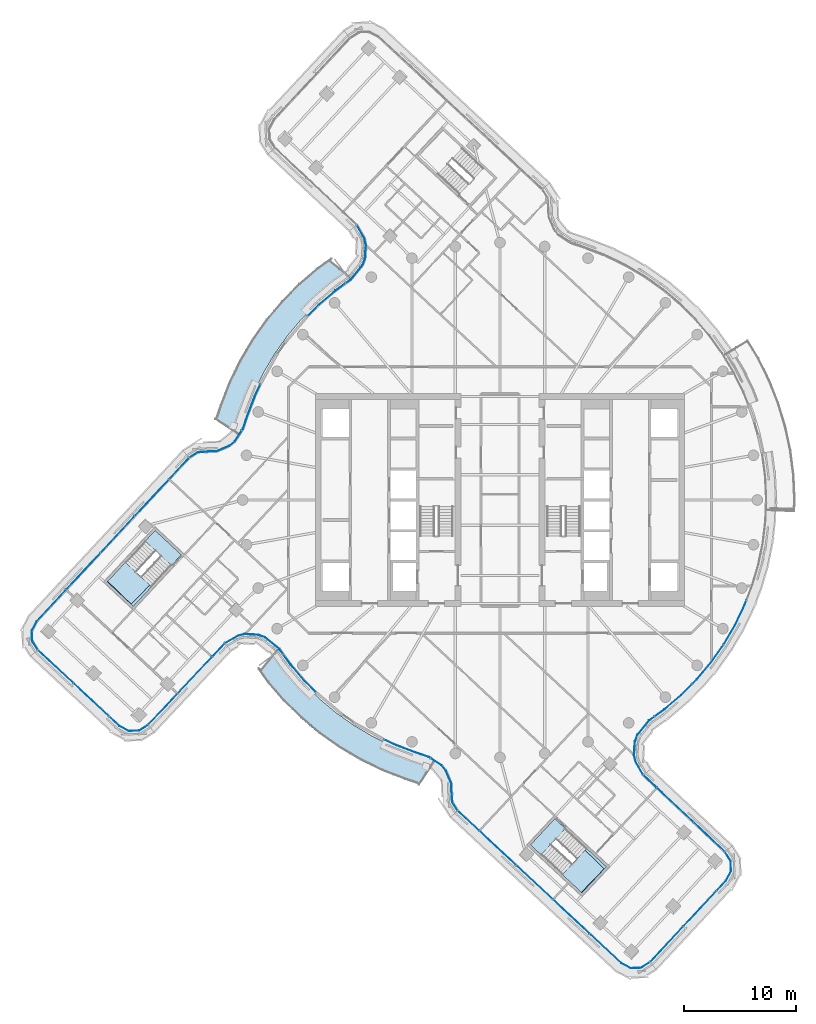
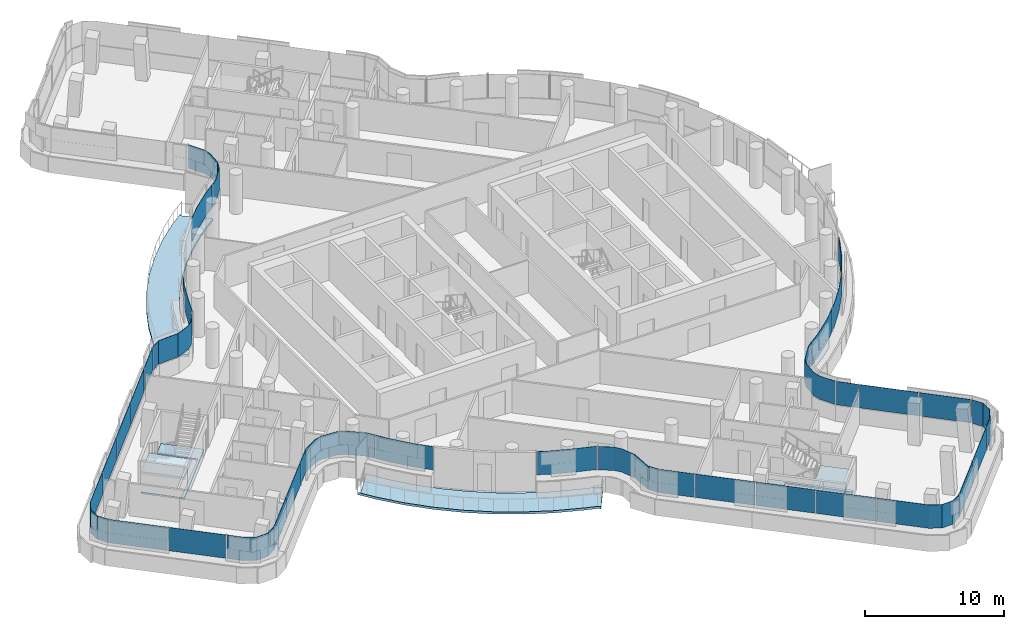
# One storey, part 15 of 30: 34 plates, 6 slabs, 11 elements without a shape of their own.
"""IFC4 building model written with IfcOpenShell, lengths in metres."""

from ifc_helpers import new_model, si_unit, direction, frame, origin, place, context, subcontext, project, spatial, polyline, outline, extrude, material, layer, layer_set, type_object, element, aggregate, save


model = new_model("IFC4")

# Units and contexts
model_context = context("Model", 3, precision=1e-05, world=origin(), true_north=direction((0.0, 1.0)))
body_context = subcontext(model_context, "Body", "Model", "MODEL_VIEW")
ifc_project = project(units=[si_unit("LENGTHUNIT", "METRE"), si_unit("AREAUNIT", "SQUARE_METRE"), si_unit("VOLUMEUNIT", "CUBIC_METRE"), si_unit("PLANEANGLEUNIT", "RADIAN"), si_unit("MASSUNIT", "GRAM", prefix="KILO")], contexts=[model_context])

# Site, building, storey
site_placement = place(None, origin())
site = spatial("IfcSite", under=ifc_project, at=site_placement, CompositionType="ELEMENT")
building_placement = place(site_placement, origin())
building = spatial("IfcBuilding", under=site, at=building_placement, Name="Tamarind Cross Interchange Tower", CompositionType="ELEMENT")
storey_placement = place(building_placement, frame((0.0, 0.0, 204.10009765625)))
storey = spatial("IfcBuildingStorey", under=building, at=storey_placement, Name="L51", CompositionType="ELEMENT", Elevation=204.10009765625)

# Slabs
ifc_material_1 = material(Name="Precast concrete C40", Category="concrete")
ifc_layer_1 = layer(ifc_material_1, 0.199951171875)
ifc_layer_set_1 = layer_set([ifc_layer_1], Name="Precast concrete C40")
slab_type_1 = type_object("IfcSlabType", Name="Balcony slab", PredefinedType="BASESLAB", material=ifc_layer_set_1)
slab_1_placement = place(storey_placement, frame((0.0, 0.0, -0.2001953125)))
element("IfcSlab", 1, at=slab_1_placement, inside=storey, type_object=slab_type_1, Name="SLB-L51-BAL02", PredefinedType="BASESLAB", context=body_context, shape_type="SweptSolid", body=[
    extrude(outline(polyline([(-19.89599609375, -13.42431640625), (-19.856689453125, -13.45654296875), (-18.87255859375, -14.820068359375), (-17.584228515625, -16.327880859375), (-16.17578125, -17.72412109375), (-14.656982421875, -18.99951171875), (-13.0380859375, -20.14501953125), (-11.329833984375, -21.15283203125), (-9.54443359375, -22.01611328125), (-7.69384765625, -22.72900390625), (-6.44677734375, -23.145263671875), (-5.956787109375, -23.46923828125), (-7.28076171875, -25.470947265625), (-7.506591796875, -25.321533203125), (-8.50537109375, -24.98828125), (-10.499755859375, -24.219970703125), (-12.464111328125, -23.270263671875), (-14.343017578125, -22.161376953125), (-16.124267578125, -20.9013671875), (-17.795166015625, -19.498291015625), (-19.344482421875, -17.96240234375), (-20.76123046875, -16.30419921875), (-21.616943359375, -15.118408203125), (-21.409912109375, -15.28662109375), (-19.89599609375, -13.42431640625)])), origin(), (0.0, 0.0, 1.0), 0.2001953125),
])
slab_2_placement = place(storey_placement, frame((0.0, 0.0, -0.2001953125)))
element("IfcSlab", 2, at=slab_2_placement, inside=storey, type_object=slab_type_1, Name="SLB-L51-BAL10", PredefinedType="BASESLAB", context=body_context, shape_type="SweptSolid", body=[
    extrude(outline(polyline([(-13.42431640625, 19.89599609375), (-13.45654296875, 19.856689453125), (-14.820068359375, 18.87255859375), (-16.327880859375, 17.584228515625), (-17.72412109375, 16.17578125), (-18.99951171875, 14.656982421875), (-20.14501953125, 13.0380859375), (-21.15283203125, 11.329833984375), (-22.01611328125, 9.54443359375), (-22.72900390625, 7.69384765625), (-23.145263671875, 6.44677734375), (-23.46923828125, 5.956787109375), (-25.470947265625, 7.28076171875), (-25.321533203125, 7.506591796875), (-24.98828125, 8.50537109375), (-24.219970703125, 10.499755859375), (-23.270263671875, 12.464111328125), (-22.161376953125, 14.343017578125), (-20.9013671875, 16.124267578125), (-19.498291015625, 17.795166015625), (-17.96240234375, 19.344482421875), (-16.30419921875, 20.76123046875), (-15.118408203125, 21.616943359375), (-15.28662109375, 21.409912109375), (-13.42431640625, 19.89599609375)])), origin(), (0.0, 0.0, 1.0), 0.2001953125),
])
ifc_material_2 = material(Name="Concrete C35", Category="concrete")
ifc_layer_2 = layer(ifc_material_2, 0.139892578125)
ifc_layer_set_2 = layer_set([ifc_layer_2], Name="Concrete C35")
slab_type_2 = type_object("IfcSlabType", Name="Composite slab 140 Concrete C35", PredefinedType="FLOOR", material=ifc_layer_set_2)
slab_3_placement = place(storey_placement, frame((0.0, 0.0, -0.14013671875)))
element("IfcSlab", 3, at=slab_3_placement, inside=storey, type_object=slab_type_2, Name="Floor slab L51", PredefinedType="FLOOR", context=body_context, shape_type="SweptSolid", body=[
    extrude(outline(polyline([(-35.11474609375, -7.32470703125), (-32.773681640625, -9.506591796875), (-28.478515625, -4.897705078125), (-30.819580078125, -2.716064453125), (-31.714111328125, -3.67578125), (-29.497314453125, -5.74169921875), (-32.9453125, -9.30859375), (-35.05908203125, -7.26513671875), (-35.11474609375, -7.32470703125)])), origin(), (0.0, 0.0, 1.0), 0.14013671875),
])
slab_4_placement = place(storey_placement, frame((0.0, 0.0, -0.14013671875)))
element("IfcSlab", 4, at=slab_4_placement, inside=storey, type_object=slab_type_2, Name="Floor slab L51", PredefinedType="FLOOR", context=body_context, shape_type="SweptSolid", body=[
    extrude(outline(polyline([(7.32470703125, -35.11474609375), (9.506591796875, -32.773681640625), (4.897705078125, -28.478515625), (2.716064453125, -30.819580078125), (3.67578125, -31.714111328125), (5.74169921875, -29.497314453125), (9.30859375, -32.9453125), (7.26513671875, -35.05908203125), (7.32470703125, -35.11474609375)])), origin(), (0.0, 0.0, 1.0), 0.14013671875),
])

# Stair, slab
ifc_material_3 = material(Name="Exit stair")
stair_type = type_object("IfcStairType", Name="Exit stair", PredefinedType="HALF_TURN_STAIR", material=ifc_material_3)
stair_1_placement = place(storey_placement, origin())
stair_1 = element("IfcStair", 5, at=stair_1_placement, inside=storey, type_object=stair_type, Name="L51 exit stair ST5", PredefinedType="HALF_TURN_STAIR")
ifc_material_4 = material(Name="Concrete C40", Category="concrete")
ifc_layer_3 = layer(ifc_material_4, 0.199951171875)
ifc_layer_set_3 = layer_set([ifc_layer_3], Name="Concrete C40")
slab_type_3 = type_object("IfcSlabType", Name="Stair landing", PredefinedType="LANDING", material=ifc_layer_set_3)
slab_5_placement = place(storey_placement, frame((0.0, 0.0, 1.599853515625)))
slab_5 = element("IfcSlab", 6, at=slab_5_placement, type_object=slab_type_3, Name="ST5 landing 1", PredefinedType="LANDING", context=body_context, shape_type="SweptSolid", body=[
    extrude(outline(polyline([(-33.47021484375, -5.560302734375), (-35.11474609375, -7.32470703125), (-32.77392578125, -9.506591796875), (-31.12939453125, -7.7421875), (-33.47021484375, -5.560302734375)])), origin(), (0.0, 0.0, 1.0), 0.199951171875),
])
aggregate(stair_1, [slab_5])

stair_2_placement = place(storey_placement, origin())
stair_2 = element("IfcStair", 7, at=stair_2_placement, inside=storey, type_object=stair_type, Name="L51 exit stair ST6", PredefinedType="HALF_TURN_STAIR")
slab_6_placement = place(storey_placement, frame((0.0, 0.0, 1.599853515625)))
slab_6 = element("IfcSlab", 8, at=slab_6_placement, type_object=slab_type_3, Name="ST6 landing 1", PredefinedType="LANDING", context=body_context, shape_type="SweptSolid", body=[
    extrude(outline(polyline([(5.560302734375, -33.47021484375), (7.32470703125, -35.11474609375), (9.506591796875, -32.77392578125), (7.7421875, -31.12939453125), (5.560302734375, -33.47021484375)])), origin(), (0.0, 0.0, 1.0), 0.199951171875),
])
aggregate(stair_2, [slab_6])

# Curtain wall, plates
ifc_material_5 = material(Name="Aluminium 6063-T6", Category="aluminium")
ifc_layer_4 = layer(ifc_material_5, 0.139892578125)
ifc_layer_set_4 = layer_set([ifc_layer_4], Name="Aluminium 6063-T6")
curtain_wall_type = type_object("IfcCurtainWallType", Name="Hotel curtain wall, 4.5 m bays", PredefinedType="NOTDEFINED", material=ifc_layer_set_4)
curtain_wall_1_placement = place(storey_placement, origin())
curtain_wall_1 = element("IfcCurtainWall", 9, at=curtain_wall_1_placement, inside=storey, type_object=curtain_wall_type, Name="CWS-L51-00", PredefinedType="NOTDEFINED")
ifc_material_6 = material(Name="Laminated low-e glass 6+1.52+6", Category="glass")
ifc_layer_5 = layer(ifc_material_6, 0.02392578125)
ifc_layer_set_5 = layer_set([ifc_layer_5], Name="Laminated low-e glass 6+1.52+6")
plate_type = type_object("IfcPlateType", Name="Vision panel CW2", PredefinedType="CURTAIN_PANEL", material=ifc_layer_set_5)
plate_1_placement = place(storey_placement, frame((0.0, 0.0, 1.39990234375)))
plate_1 = element("IfcPlate", 10, at=plate_1_placement, type_object=plate_type, Name="CWP-L51-00-00", PredefinedType="CURTAIN_PANEL", context=body_context, shape_type="SweptSolid", body=[
    extrude(outline(polyline([(-41.267578125, -13.422607421875), (-38.13232421875, -16.344482421875), (-38.14892578125, -16.362060546875), (-41.283935546875, -13.440185546875), (-41.267578125, -13.422607421875)])), origin(), (0.0, 0.0, 1.0), 2.06005859375),
])
plate_2_placement = place(storey_placement, frame((0.0, 0.0, 1.39990234375)))
plate_2 = element("IfcPlate", 11, at=plate_2_placement, type_object=plate_type, Name="CWP-L51-00-01", PredefinedType="CURTAIN_PANEL", context=body_context, shape_type="SweptSolid", body=[
    extrude(outline(polyline([(-38.088623046875, -16.38525390625), (-34.953369140625, -19.30712890625), (-34.9697265625, -19.32470703125), (-38.10498046875, -16.40283203125), (-38.088623046875, -16.38525390625)])), origin(), (0.0, 0.0, 1.0), 2.06005859375),
])
plate_3_placement = place(storey_placement, frame((0.0, 0.0, 1.39990234375)))
plate_3 = element("IfcPlate", 12, at=plate_3_placement, type_object=plate_type, Name="CWP-L51-00-02", PredefinedType="CURTAIN_PANEL", context=body_context, shape_type="SweptSolid", body=[
    extrude(outline(polyline([(-34.90966796875, -19.34814453125), (-34.013671875, -20.18310546875), (-33.17431640625, -20.629150390625), (-32.253173828125, -20.5966796875), (-31.470947265625, -20.107421875), (-31.458251953125, -20.1279296875), (-32.245849609375, -20.620361328125), (-33.179931640625, -20.6533203125), (-34.02783203125, -20.20263671875), (-34.926025390625, -19.36572265625), (-34.90966796875, -19.34814453125)])), origin(), (0.0, 0.0, 1.0), 2.06005859375),
])
aggregate(curtain_wall_1, [plate_1, plate_2, plate_3])

curtain_wall_2_placement = place(storey_placement, origin())
curtain_wall_2 = element("IfcCurtainWall", 13, at=curtain_wall_2_placement, inside=storey, type_object=curtain_wall_type, Name="CWS-L51-01", PredefinedType="NOTDEFINED")
plate_4_placement = place(storey_placement, frame((0.0, 0.0, 1.39990234375)))
plate_4 = element("IfcPlate", 14, at=plate_4_placement, type_object=plate_type, Name="CWP-L51-01-00", PredefinedType="CURTAIN_PANEL", context=body_context, shape_type="SweptSolid", body=[
    extrude(outline(polyline([(-31.42724609375, -20.07177734375), (-28.818603515625, -17.29638671875), (-28.801025390625, -17.31298828125), (-31.409912109375, -20.088134765625), (-31.42724609375, -20.07177734375)])), origin(), (0.0, 0.0, 1.0), 2.06005859375),
])
plate_5_placement = place(storey_placement, frame((0.0, 0.0, 1.39990234375)))
plate_5 = element("IfcPlate", 15, at=plate_5_placement, type_object=plate_type, Name="CWP-L51-01-01", PredefinedType="CURTAIN_PANEL", context=body_context, shape_type="SweptSolid", body=[
    extrude(outline(polyline([(-28.77734375, -17.252685546875), (-25.7353515625, -14.0166015625), (-25.7177734375, -14.033203125), (-28.760009765625, -17.269287109375), (-28.77734375, -17.252685546875)])), origin(), (0.0, 0.0, 1.0), 2.06005859375),
])
plate_6_placement = place(storey_placement, frame((0.0, 0.0, 1.39990234375)))
plate_6 = element("IfcPlate", 16, at=plate_6_placement, type_object=plate_type, Name="CWP-L51-01-02", PredefinedType="CURTAIN_PANEL", context=body_context, shape_type="SweptSolid", body=[
    extrude(outline(polyline([(-25.694091796875, -13.972900390625), (-24.605712890625, -12.81494140625), (-24.588134765625, -12.83154296875), (-25.6767578125, -13.9892578125), (-25.694091796875, -13.972900390625)])), origin(), (0.0, 0.0, 1.0), 2.06005859375),
])
aggregate(curtain_wall_2, [plate_4, plate_5, plate_6])

curtain_wall_3_placement = place(storey_placement, origin())
curtain_wall_3 = element("IfcCurtainWall", 17, at=curtain_wall_3_placement, inside=storey, type_object=curtain_wall_type, Name="CWS-L51-02", PredefinedType="NOTDEFINED")
plate_7_placement = place(storey_placement, frame((0.0, 0.0, 1.39990234375)))
plate_7 = element("IfcPlate", 18, at=plate_7_placement, type_object=plate_type, Name="CWP-L51-02-00", PredefinedType="CURTAIN_PANEL", context=body_context, shape_type="SweptSolid", body=[
    extrude(outline(polyline([(-24.556396484375, -12.77587890625), (-23.40478515625, -12.1083984375), (-22.789306640625, -11.964111328125), (-21.577880859375, -12.043212890625), (-20.983642578125, -12.26708984375), (-19.701171875, -13.3095703125), (-19.375244140625, -13.76123046875), (-19.394775390625, -13.775146484375), (-19.71875, -13.326171875), (-20.995849609375, -12.2880859375), (-21.5830078125, -12.06689453125), (-22.787353515625, -11.98828125), (-23.395751953125, -12.130859375), (-24.54443359375, -12.796875), (-24.556396484375, -12.77587890625)])), origin(), (0.0, 0.0, 1.0), 2.06005859375),
])
plate_8_placement = place(storey_placement, frame((0.0, 0.0, 1.39990234375)))
plate_8 = element("IfcPlate", 19, at=plate_8_placement, type_object=plate_type, Name="CWP-L51-02-01", PredefinedType="CURTAIN_PANEL", context=body_context, shape_type="SweptSolid", body=[
    extrude(outline(polyline([(-19.340087890625, -13.809814453125), (-18.705810546875, -14.68896484375), (-17.4287109375, -16.183349609375), (-16.451171875, -17.15283203125), (-16.468017578125, -17.169677734375), (-17.4462890625, -16.19970703125), (-18.724609375, -14.70361328125), (-19.359619140625, -13.823974609375), (-19.340087890625, -13.809814453125)])), origin(), (0.0, 0.0, 1.0), 2.06005859375),
])
plate_9_placement = place(storey_placement, frame((0.0, 0.0, 1.39990234375)))
plate_9 = element("IfcPlate", 20, at=plate_9_placement, type_object=plate_type, Name="CWP-L51-02-03", PredefinedType="CURTAIN_PANEL", context=body_context, shape_type="SweptSolid", body=[
    extrude(outline(polyline([(-10.323486328125, -21.404052734375), (-9.4599609375, -21.821533203125), (-7.6220703125, -22.529541015625), (-6.35302734375, -22.952880859375), (-6.2099609375, -23.047607421875), (-6.22314453125, -23.067626953125), (-6.36376953125, -22.974609375), (-7.630126953125, -22.55224609375), (-9.469482421875, -21.843505859375), (-10.333984375, -21.425537109375), (-10.323486328125, -21.404052734375)])), origin(), (0.0, 0.0, 1.0), 2.06005859375),
])
plate_10_placement = place(storey_placement, frame((0.0, 0.0, 1.39990234375)))
plate_10 = element("IfcPlate", 21, at=plate_10_placement, type_object=plate_type, Name="CWP-L51-02-04", PredefinedType="CURTAIN_PANEL", context=body_context, shape_type="SweptSolid", body=[
    extrude(outline(polyline([(-6.159912109375, -23.080810546875), (-5.2197265625, -23.70263671875), (-4.81689453125, -24.18896484375), (-4.34619140625, -25.313720703125), (-4.3134765625, -26.051025390625), (-4.256591796875, -26.99609375), (-3.777099609375, -27.7490234375), (-3.79736328125, -27.761962890625), (-4.2802734375, -27.003662109375), (-4.33740234375, -26.052490234375), (-4.369873046875, -25.319091796875), (-4.837646484375, -24.20166015625), (-5.23583984375, -23.720458984375), (-6.173095703125, -23.100830078125), (-6.159912109375, -23.080810546875)])), origin(), (0.0, 0.0, 1.0), 2.06005859375),
])
aggregate(curtain_wall_3, [plate_7, plate_8, plate_9, plate_10])

curtain_wall_4_placement = place(storey_placement, origin())
curtain_wall_4 = element("IfcCurtainWall", 22, at=curtain_wall_4_placement, inside=storey, type_object=curtain_wall_type, Name="CWS-L51-03", PredefinedType="NOTDEFINED")
plate_11_placement = place(storey_placement, frame((0.0, 0.0, 1.39990234375)))
plate_11 = element("IfcPlate", 23, at=plate_11_placement, type_object=plate_type, Name="CWP-L51-03-00", PredefinedType="CURTAIN_PANEL", context=body_context, shape_type="SweptSolid", body=[
    extrude(outline(polyline([(-3.740966796875, -27.79248046875), (-1.8564453125, -29.548828125), (-1.872802734375, -29.56640625), (-3.75732421875, -27.81005859375), (-3.740966796875, -27.79248046875)])), origin(), (0.0, 0.0, 1.0), 2.06005859375),
])
plate_12_placement = place(storey_placement, frame((0.0, 0.0, 1.39990234375)))
plate_12 = element("IfcPlate", 24, at=plate_12_placement, type_object=plate_type, Name="CWP-L51-03-01", PredefinedType="CURTAIN_PANEL", context=body_context, shape_type="SweptSolid", body=[
    extrude(outline(polyline([(-1.8125, -29.589599609375), (1.427001953125, -32.60888671875), (1.41064453125, -32.62646484375), (-1.8291015625, -29.607177734375), (-1.8125, -29.589599609375)])), origin(), (0.0, 0.0, 1.0), 2.06005859375),
])
plate_13_placement = place(storey_placement, frame((0.0, 0.0, 1.39990234375)))
plate_13 = element("IfcPlate", 25, at=plate_13_placement, type_object=plate_type, Name="CWP-L51-03-02", PredefinedType="CURTAIN_PANEL", context=body_context, shape_type="SweptSolid", body=[
    extrude(outline(polyline([(1.470947265625, -32.64990234375), (4.71044921875, -35.669189453125), (4.694091796875, -35.6865234375), (1.45458984375, -32.66748046875), (1.470947265625, -32.64990234375)])), origin(), (0.0, 0.0, 1.0), 2.06005859375),
])
plate_14_placement = place(storey_placement, frame((0.0, 0.0, 1.39990234375)))
plate_14 = element("IfcPlate", 26, at=plate_14_placement, type_object=plate_type, Name="CWP-L51-03-03", PredefinedType="CURTAIN_PANEL", context=body_context, shape_type="SweptSolid", body=[
    extrude(outline(polyline([(4.75439453125, -35.7099609375), (7.993896484375, -38.729248046875), (7.9775390625, -38.746826171875), (4.738037109375, -35.7275390625), (4.75439453125, -35.7099609375)])), origin(), (0.0, 0.0, 1.0), 2.06005859375),
])
plate_15_placement = place(storey_placement, frame((0.0, 0.0, 1.39990234375)))
plate_15 = element("IfcPlate", 27, at=plate_15_placement, type_object=plate_type, Name="CWP-L51-03-04", PredefinedType="CURTAIN_PANEL", context=body_context, shape_type="SweptSolid", body=[
    extrude(outline(polyline([(8.037841796875, -38.77001953125), (10.836669921875, -41.378662109375), (11.676025390625, -41.82470703125), (12.59716796875, -41.792236328125), (13.379150390625, -41.303466796875), (13.391845703125, -41.32373046875), (12.6044921875, -41.816162109375), (11.67041015625, -41.848876953125), (10.822509765625, -41.3984375), (8.021484375, -38.78759765625), (8.037841796875, -38.77001953125)])), origin(), (0.0, 0.0, 1.0), 2.06005859375),
])
aggregate(curtain_wall_4, [plate_11, plate_12, plate_13, plate_14, plate_15])

curtain_wall_5_placement = place(storey_placement, origin())
curtain_wall_5 = element("IfcCurtainWall", 28, at=curtain_wall_5_placement, inside=storey, type_object=curtain_wall_type, Name="CWS-L51-04", PredefinedType="NOTDEFINED")
plate_16_placement = place(storey_placement, frame((0.0, 0.0, 1.39990234375)))
plate_16 = element("IfcPlate", 29, at=plate_16_placement, type_object=plate_type, Name="CWP-L51-04-00", PredefinedType="CURTAIN_PANEL", context=body_context, shape_type="SweptSolid", body=[
    extrude(outline(polyline([(13.422607421875, -41.267578125), (16.344482421875, -38.13232421875), (16.362060546875, -38.14892578125), (13.440185546875, -41.283935546875), (13.422607421875, -41.267578125)])), origin(), (0.0, 0.0, 1.0), 2.06005859375),
])
plate_17_placement = place(storey_placement, frame((0.0, 0.0, 1.39990234375)))
plate_17 = element("IfcPlate", 30, at=plate_17_placement, type_object=plate_type, Name="CWP-L51-04-01", PredefinedType="CURTAIN_PANEL", context=body_context, shape_type="SweptSolid", body=[
    extrude(outline(polyline([(16.38525390625, -38.088623046875), (19.30712890625, -34.953369140625), (19.32470703125, -34.9697265625), (16.40283203125, -38.10498046875), (16.38525390625, -38.088623046875)])), origin(), (0.0, 0.0, 1.0), 2.06005859375),
])
plate_18_placement = place(storey_placement, frame((0.0, 0.0, 1.39990234375)))
plate_18 = element("IfcPlate", 31, at=plate_18_placement, type_object=plate_type, Name="CWP-L51-04-02", PredefinedType="CURTAIN_PANEL", context=body_context, shape_type="SweptSolid", body=[
    extrude(outline(polyline([(19.34814453125, -34.90966796875), (20.18310546875, -34.013671875), (20.629150390625, -33.17431640625), (20.5966796875, -32.253173828125), (20.107421875, -31.470947265625), (20.1279296875, -31.458251953125), (20.620361328125, -32.245849609375), (20.6533203125, -33.179931640625), (20.20263671875, -34.02783203125), (19.36572265625, -34.926025390625), (19.34814453125, -34.90966796875)])), origin(), (0.0, 0.0, 1.0), 2.06005859375),
])
aggregate(curtain_wall_5, [plate_16, plate_17, plate_18])

curtain_wall_6_placement = place(storey_placement, origin())
curtain_wall_6 = element("IfcCurtainWall", 32, at=curtain_wall_6_placement, inside=storey, type_object=curtain_wall_type, Name="CWS-L51-05", PredefinedType="NOTDEFINED")
plate_19_placement = place(storey_placement, frame((0.0, 0.0, 1.39990234375)))
plate_19 = element("IfcPlate", 33, at=plate_19_placement, type_object=plate_type, Name="CWP-L51-05-00", PredefinedType="CURTAIN_PANEL", context=body_context, shape_type="SweptSolid", body=[
    extrude(outline(polyline([(20.07177734375, -31.42724609375), (17.29638671875, -28.818603515625), (17.31298828125, -28.801025390625), (20.088134765625, -31.409912109375), (20.07177734375, -31.42724609375)])), origin(), (0.0, 0.0, 1.0), 2.06005859375),
])
plate_20_placement = place(storey_placement, frame((0.0, 0.0, 1.39990234375)))
plate_20 = element("IfcPlate", 34, at=plate_20_placement, type_object=plate_type, Name="CWP-L51-05-01", PredefinedType="CURTAIN_PANEL", context=body_context, shape_type="SweptSolid", body=[
    extrude(outline(polyline([(17.252685546875, -28.77734375), (14.0166015625, -25.7353515625), (14.033203125, -25.7177734375), (17.269287109375, -28.760009765625), (17.252685546875, -28.77734375)])), origin(), (0.0, 0.0, 1.0), 2.06005859375),
])
plate_21_placement = place(storey_placement, frame((0.0, 0.0, 1.39990234375)))
plate_21 = element("IfcPlate", 35, at=plate_21_placement, type_object=plate_type, Name="CWP-L51-05-02", PredefinedType="CURTAIN_PANEL", context=body_context, shape_type="SweptSolid", body=[
    extrude(outline(polyline([(13.972900390625, -25.694091796875), (12.81494140625, -24.605712890625), (12.83154296875, -24.588134765625), (13.9892578125, -25.6767578125), (13.972900390625, -25.694091796875)])), origin(), (0.0, 0.0, 1.0), 2.06005859375),
])
aggregate(curtain_wall_6, [plate_19, plate_20, plate_21])

curtain_wall_7_placement = place(storey_placement, origin())
curtain_wall_7 = element("IfcCurtainWall", 36, at=curtain_wall_7_placement, inside=storey, type_object=curtain_wall_type, Name="CWS-L51-06", PredefinedType="NOTDEFINED")
plate_22_placement = place(storey_placement, frame((0.0, 0.0, 1.39990234375)))
plate_22 = element("IfcPlate", 37, at=plate_22_placement, type_object=plate_type, Name="CWP-L51-06-00", PredefinedType="CURTAIN_PANEL", context=body_context, shape_type="SweptSolid", body=[
    extrude(outline(polyline([(12.77587890625, -24.556396484375), (12.1083984375, -23.40478515625), (11.964111328125, -22.789306640625), (12.043212890625, -21.577880859375), (12.26708984375, -20.983642578125), (13.3095703125, -19.701171875), (13.76123046875, -19.375244140625), (13.775146484375, -19.394775390625), (13.326171875, -19.71875), (12.2880859375, -20.995849609375), (12.06689453125, -21.5830078125), (11.98828125, -22.787353515625), (12.130859375, -23.395751953125), (12.796875, -24.54443359375), (12.77587890625, -24.556396484375)])), origin(), (0.0, 0.0, 1.0), 2.06005859375),
])
plate_23_placement = place(storey_placement, frame((0.0, 0.0, 1.39990234375)))
plate_23 = element("IfcPlate", 38, at=plate_23_placement, type_object=plate_type, Name="CWP-L51-06-01", PredefinedType="CURTAIN_PANEL", context=body_context, shape_type="SweptSolid", body=[
    extrude(outline(polyline([(13.809814453125, -19.340087890625), (14.68896484375, -18.705810546875), (16.183349609375, -17.4287109375), (17.15283203125, -16.451171875), (17.169677734375, -16.468017578125), (16.19970703125, -17.4462890625), (14.70361328125, -18.724609375), (13.823974609375, -19.359619140625), (13.809814453125, -19.340087890625)])), origin(), (0.0, 0.0, 1.0), 2.06005859375),
])
plate_24_placement = place(storey_placement, frame((0.0, 0.0, 1.39990234375)))
plate_24 = element("IfcPlate", 39, at=plate_24_placement, type_object=plate_type, Name="CWP-L51-06-02", PredefinedType="CURTAIN_PANEL", context=body_context, shape_type="SweptSolid", body=[
    extrude(outline(polyline([(17.195068359375, -16.408447265625), (17.5673828125, -16.032958984375), (18.83154296875, -14.52734375), (19.934814453125, -12.968017578125), (19.954345703125, -12.981689453125), (18.850341796875, -14.5419921875), (17.585205078125, -16.049072265625), (17.2119140625, -16.425537109375), (17.195068359375, -16.408447265625)])), origin(), (0.0, 0.0, 1.0), 2.06005859375),
])
plate_25_placement = place(storey_placement, frame((0.0, 0.0, 1.39990234375)))
plate_25 = element("IfcPlate", 40, at=plate_25_placement, type_object=plate_type, Name="CWP-L51-06-03", PredefinedType="CURTAIN_PANEL", context=body_context, shape_type="SweptSolid", body=[
    extrude(outline(polyline([(19.968505859375, -12.919677734375), (20.9658203125, -11.229736328125), (21.821533203125, -9.4599609375), (21.992919921875, -9.01513671875), (22.01513671875, -9.023681640625), (21.843505859375, -9.469482421875), (20.98681640625, -11.240966796875), (19.9892578125, -12.931884765625), (19.968505859375, -12.919677734375)])), origin(), (0.0, 0.0, 1.0), 2.06005859375),
])
aggregate(curtain_wall_7, [plate_22, plate_23, plate_24, plate_25])

curtain_wall_8_placement = place(storey_placement, origin())
curtain_wall_8 = element("IfcCurtainWall", 41, at=curtain_wall_8_placement, inside=storey, type_object=curtain_wall_type, Name="CWS-L51-10", PredefinedType="NOTDEFINED")
plate_26_placement = place(storey_placement, frame((0.0, 0.0, 1.39990234375)))
plate_26 = element("IfcPlate", 42, at=plate_26_placement, type_object=plate_type, Name="CWP-L51-10-00", PredefinedType="CURTAIN_PANEL", context=body_context, shape_type="SweptSolid", body=[
    extrude(outline(polyline([(-12.77587890625, 24.556396484375), (-12.1083984375, 23.40478515625), (-11.964111328125, 22.789306640625), (-12.043212890625, 21.577880859375), (-12.26708984375, 20.983642578125), (-13.3095703125, 19.701171875), (-13.76123046875, 19.375244140625), (-13.775146484375, 19.394775390625), (-13.326171875, 19.71875), (-12.2880859375, 20.995849609375), (-12.06689453125, 21.5830078125), (-11.98828125, 22.787353515625), (-12.130859375, 23.395751953125), (-12.796875, 24.54443359375), (-12.77587890625, 24.556396484375)])), origin(), (0.0, 0.0, 1.0), 2.06005859375),
])
plate_27_placement = place(storey_placement, frame((0.0, 0.0, 1.39990234375)))
plate_27 = element("IfcPlate", 43, at=plate_27_placement, type_object=plate_type, Name="CWP-L51-10-01", PredefinedType="CURTAIN_PANEL", context=body_context, shape_type="SweptSolid", body=[
    extrude(outline(polyline([(-13.809814453125, 19.340087890625), (-14.68896484375, 18.705810546875), (-16.183349609375, 17.4287109375), (-17.15283203125, 16.451171875), (-17.169677734375, 16.468017578125), (-16.19970703125, 17.4462890625), (-14.70361328125, 18.724609375), (-13.823974609375, 19.359619140625), (-13.809814453125, 19.340087890625)])), origin(), (0.0, 0.0, 1.0), 2.06005859375),
])
plate_28_placement = place(storey_placement, frame((0.0, 0.0, 1.39990234375)))
plate_28 = element("IfcPlate", 44, at=plate_28_placement, type_object=plate_type, Name="CWP-L51-10-03", PredefinedType="CURTAIN_PANEL", context=body_context, shape_type="SweptSolid", body=[
    extrude(outline(polyline([(-21.404052734375, 10.323486328125), (-21.821533203125, 9.4599609375), (-22.529541015625, 7.6220703125), (-22.952880859375, 6.35302734375), (-23.047607421875, 6.2099609375), (-23.067626953125, 6.22314453125), (-22.974609375, 6.36376953125), (-22.55224609375, 7.630126953125), (-21.843505859375, 9.469482421875), (-21.425537109375, 10.333984375), (-21.404052734375, 10.323486328125)])), origin(), (0.0, 0.0, 1.0), 2.06005859375),
])
plate_29_placement = place(storey_placement, frame((0.0, 0.0, 1.39990234375)))
plate_29 = element("IfcPlate", 45, at=plate_29_placement, type_object=plate_type, Name="CWP-L51-10-04", PredefinedType="CURTAIN_PANEL", context=body_context, shape_type="SweptSolid", body=[
    extrude(outline(polyline([(-23.080810546875, 6.159912109375), (-23.70263671875, 5.2197265625), (-24.18896484375, 4.81689453125), (-25.313720703125, 4.34619140625), (-26.051025390625, 4.3134765625), (-26.99609375, 4.256591796875), (-27.7490234375, 3.777099609375), (-27.761962890625, 3.79736328125), (-27.003662109375, 4.2802734375), (-26.052490234375, 4.33740234375), (-25.319091796875, 4.369873046875), (-24.20166015625, 4.837646484375), (-23.720458984375, 5.23583984375), (-23.100830078125, 6.173095703125), (-23.080810546875, 6.159912109375)])), origin(), (0.0, 0.0, 1.0), 2.06005859375),
])
aggregate(curtain_wall_8, [plate_26, plate_27, plate_28, plate_29])

curtain_wall_9_placement = place(storey_placement, origin())
curtain_wall_9 = element("IfcCurtainWall", 46, at=curtain_wall_9_placement, inside=storey, type_object=curtain_wall_type, Name="CWS-L51-11", PredefinedType="NOTDEFINED")
plate_30_placement = place(storey_placement, frame((0.0, 0.0, 1.39990234375)))
plate_30 = element("IfcPlate", 47, at=plate_30_placement, type_object=plate_type, Name="CWP-L51-11-00", PredefinedType="CURTAIN_PANEL", context=body_context, shape_type="SweptSolid", body=[
    extrude(outline(polyline([(-27.79248046875, 3.740966796875), (-29.548828125, 1.8564453125), (-29.56640625, 1.872802734375), (-27.81005859375, 3.75732421875), (-27.79248046875, 3.740966796875)])), origin(), (0.0, 0.0, 1.0), 2.06005859375),
])
plate_31_placement = place(storey_placement, frame((0.0, 0.0, 1.39990234375)))
plate_31 = element("IfcPlate", 48, at=plate_31_placement, type_object=plate_type, Name="CWP-L51-11-01", PredefinedType="CURTAIN_PANEL", context=body_context, shape_type="SweptSolid", body=[
    extrude(outline(polyline([(-29.589599609375, 1.8125), (-32.60888671875, -1.427001953125), (-32.62646484375, -1.41064453125), (-29.607177734375, 1.8291015625), (-29.589599609375, 1.8125)])), origin(), (0.0, 0.0, 1.0), 2.06005859375),
])
plate_32_placement = place(storey_placement, frame((0.0, 0.0, 1.39990234375)))
plate_32 = element("IfcPlate", 49, at=plate_32_placement, type_object=plate_type, Name="CWP-L51-11-02", PredefinedType="CURTAIN_PANEL", context=body_context, shape_type="SweptSolid", body=[
    extrude(outline(polyline([(-32.64990234375, -1.470947265625), (-35.669189453125, -4.71044921875), (-35.6865234375, -4.694091796875), (-32.66748046875, -1.45458984375), (-32.64990234375, -1.470947265625)])), origin(), (0.0, 0.0, 1.0), 2.06005859375),
])
plate_33_placement = place(storey_placement, frame((0.0, 0.0, 1.39990234375)))
plate_33 = element("IfcPlate", 50, at=plate_33_placement, type_object=plate_type, Name="CWP-L51-11-03", PredefinedType="CURTAIN_PANEL", context=body_context, shape_type="SweptSolid", body=[
    extrude(outline(polyline([(-35.7099609375, -4.75439453125), (-38.729248046875, -7.993896484375), (-38.746826171875, -7.9775390625), (-35.7275390625, -4.738037109375), (-35.7099609375, -4.75439453125)])), origin(), (0.0, 0.0, 1.0), 2.06005859375),
])
plate_34_placement = place(storey_placement, frame((0.0, 0.0, 1.39990234375)))
plate_34 = element("IfcPlate", 51, at=plate_34_placement, type_object=plate_type, Name="CWP-L51-11-04", PredefinedType="CURTAIN_PANEL", context=body_context, shape_type="SweptSolid", body=[
    extrude(outline(polyline([(-38.77001953125, -8.037841796875), (-41.378662109375, -10.836669921875), (-41.82470703125, -11.676025390625), (-41.792236328125, -12.59716796875), (-41.303466796875, -13.379150390625), (-41.32373046875, -13.391845703125), (-41.816162109375, -12.6044921875), (-41.848876953125, -11.67041015625), (-41.3984375, -10.822509765625), (-38.78759765625, -8.021484375), (-38.77001953125, -8.037841796875)])), origin(), (0.0, 0.0, 1.0), 2.06005859375),
])
aggregate(curtain_wall_9, [plate_30, plate_31, plate_32, plate_33, plate_34])

save(model, "model.ifc")
